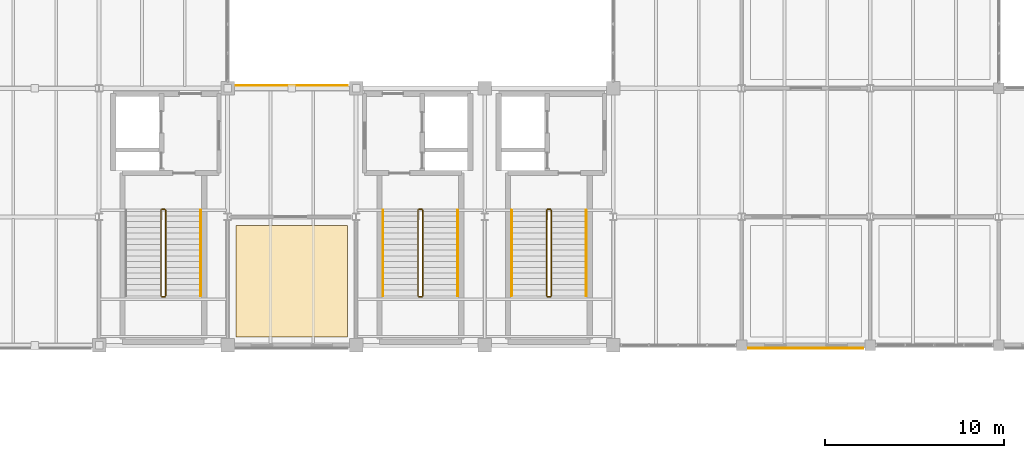
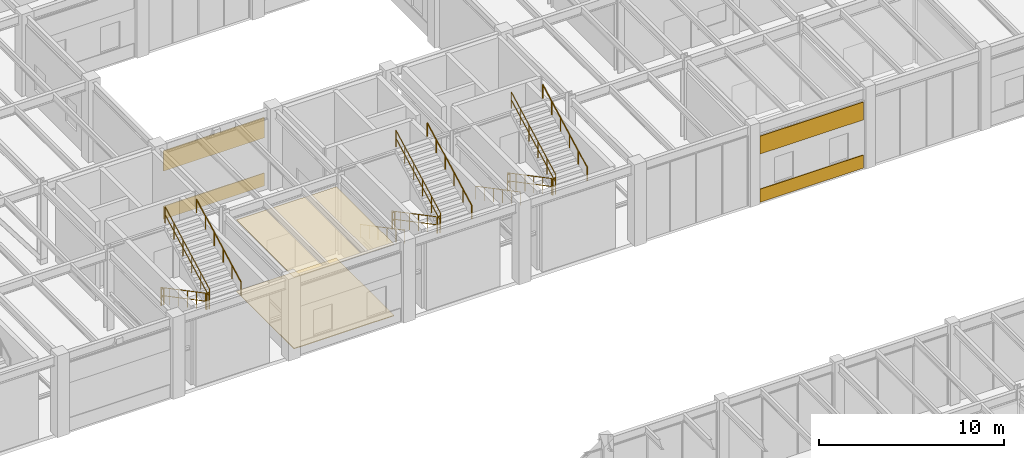
# One storey, part 95 of 97: 17 railings, 6 coverings.
"""IFC4 building model written with IfcOpenShell, lengths in metres."""

from ifc_helpers import new_model, si_unit, direction, frame, frame_2d, origin, origin_2d, place, context, subcontext, project, spatial, polyline, rectangle, circle, outline, extrude, material, layer, layer_set, type_object, element, save


model = new_model("IFC4")

# Units and contexts
model_context = context("Model", 3, precision=1e-05, world=origin(), true_north=direction((0.0, 1.0)))
body_context = subcontext(model_context, "Body", "Model", "MODEL_VIEW")
ifc_project = project(units=[si_unit("LENGTHUNIT", "METRE"), si_unit("AREAUNIT", "SQUARE_METRE"), si_unit("VOLUMEUNIT", "CUBIC_METRE"), si_unit("PLANEANGLEUNIT", "RADIAN"), si_unit("MASSUNIT", "GRAM", prefix="KILO")], contexts=[model_context])

# Site, building, storey
site_placement = place(None, origin())
site = spatial("IfcSite", under=ifc_project, at=site_placement, CompositionType="ELEMENT")
building_placement = place(site_placement, origin())
building = spatial("IfcBuilding", under=site, at=building_placement, Name="Sillqori Civic Hall", CompositionType="ELEMENT")
storey_placement = place(building_placement, origin())
storey = spatial("IfcBuildingStorey", under=building, at=storey_placement, Name="L01", CompositionType="ELEMENT", Elevation=0.0)

# Coverings
ifc_material_1 = material(Name="Acoustic Gypsum Board Assembly 34", Category="gypsum")
ifc_layer_1 = layer(ifc_material_1, 0.033935546875)
ifc_layer_set_1 = layer_set([ifc_layer_1], Name="Acoustic Gypsum Board Assembly 34")
covering_type_1 = type_object("IfcCoveringType", Name="COV-CEIL-G34", PredefinedType="CEILING", material=ifc_layer_set_1)
covering_1_placement = place(storey_placement, frame((0.0, 0.0, 4.716064453125)))
element("IfcCovering", 1, at=covering_1_placement, inside=storey, type_object=covering_type_1, Name="Social Services Citizen Advisory Suite L01-07 acoustic ceiling", PredefinedType="CEILING", context=body_context, shape_type="SweptSolid", body=[
    extrude(outline(polyline([(72.47998046875, 79.679931640625), (78.719970703125, 79.679931640625), (78.719970703125, 85.919921875), (72.47998046875, 85.919921875), (72.47998046875, 79.679931640625)])), origin(), (0.0, 0.0, 1.0), 0.033935546875),
])
ifc_material_2 = material(Name="Cochabamba Honed Limestone Cladding", Category="masonry")
ifc_layer_2 = layer(ifc_material_2, 0.044921875)
ifc_layer_set_2 = layer_set([ifc_layer_2], Name="Cochabamba Honed Limestone Cladding")
covering_type_2 = type_object("IfcCoveringType", Name="COV-CLAD-LIME", PredefinedType="CLADDING", material=ifc_layer_set_2)
covering_2_placement = place(storey_placement, frame((72.455078125, 93.760009765625, 0.0400390625), z_axis=(0.0, 0.0, 1.0), x_axis=(1.0, 0.0, 0.0)))
element("IfcCovering", 2, at=covering_2_placement, inside=storey, type_object=covering_type_2, Name="L01 limestone spandrel cladding L01-10-12-N", PredefinedType="CLADDING", context=body_context, shape_type="SweptSolid", body=[
    extrude(rectangle(XDim=6.2900390625, YDim=0.044921875, at=frame_2d((3.14501953125, 0.0))), origin(), (0.0, 0.0, 1.0), 0.85986328125),
])
covering_3_placement = place(storey_placement, frame((72.455078125, 93.760009765625, 3.219970703125), z_axis=(0.0, 0.0, 1.0), x_axis=(1.0, 0.0, 0.0)))
element("IfcCovering", 3, at=covering_3_placement, inside=storey, type_object=covering_type_2, Name="L01 limestone frieze cladding L01-10-12-N", PredefinedType="CLADDING", context=body_context, shape_type="SweptSolid", body=[
    extrude(rectangle(XDim=6.2900390625, YDim=0.044921875, at=frame_2d((3.14501953125, 0.0))), origin(), (0.0, 0.0, 1.0), 1.338134765625),
])
covering_4_placement = place(storey_placement, frame((107.6201171875, 79.0400390625, 0.0400390625), z_axis=(0.0, 0.0, 1.0), x_axis=(-1.0, 0.0, 0.0)))
element("IfcCovering", 4, at=covering_4_placement, inside=storey, type_object=covering_type_2, Name="L01 limestone spandrel cladding L01-14-11-S", PredefinedType="CLADDING", context=body_context, shape_type="SweptSolid", body=[
    extrude(rectangle(XDim=6.440185546875, YDim=0.044921875, at=frame_2d((3.22021484375, 0.0))), origin(), (0.0, 0.0, 1.0), 0.85986328125),
])
covering_5_placement = place(storey_placement, frame((107.6201171875, 79.0400390625, 3.219970703125), z_axis=(0.0, 0.0, 1.0), x_axis=(-1.0, 0.0, 0.0)))
element("IfcCovering", 5, at=covering_5_placement, inside=storey, type_object=covering_type_2, Name="L01 limestone frieze cladding L01-14-11-S", PredefinedType="CLADDING", context=body_context, shape_type="SweptSolid", body=[
    extrude(rectangle(XDim=6.440185546875, YDim=0.044921875, at=frame_2d((3.22021484375, 0.0))), origin(), (0.0, 0.0, 1.0), 1.177978515625),
])
ifc_material_3 = material(Name="Honed Comanche Sandstone Paving 44", Category="masonry")
ifc_layer_3 = layer(ifc_material_3, 0.0439453125)
ifc_layer_set_3 = layer_set([ifc_layer_3], Name="Honed Comanche Sandstone Paving 44")
covering_type_3 = type_object("IfcCoveringType", Name="COV-FLR-S44", PredefinedType="FLOORING", material=ifc_layer_set_3)
covering_6_placement = place(storey_placement, origin())
element("IfcCovering", 6, at=covering_6_placement, inside=storey, type_object=covering_type_3, Name="Social Services Citizen Advisory Suite L01-07 floor finish", PredefinedType="FLOORING", context=body_context, shape_type="SweptSolid", body=[
    extrude(outline(polyline([(72.47998046875, 79.679931640625), (78.719970703125, 79.679931640625), (78.719970703125, 85.919921875), (72.47998046875, 85.919921875), (72.47998046875, 79.679931640625)])), origin(), (0.0, 0.0, 1.0), 0.0439453125),
])

# Railings
ifc_material_4 = material(Name="Brushed Stainless Steel 316 Handrail", Category="steel")
ifc_layer_4 = layer(ifc_material_4, 0.044921875)
ifc_layer_set_4 = layer_set([ifc_layer_4], Name="Brushed Stainless Steel 316 Handrail")
railing_type_1 = type_object("IfcRailingType", Name="RLG-CORE-092", PredefinedType="HANDRAIL", material=ifc_layer_set_4)
railing_1_placement = place(storey_placement, frame((70.489990234375, 81.969970703125, 2.86865234375)))
element("IfcRailing", 7, at=railing_1_placement, inside=storey, type_object=railing_type_1, Name="L01 ST-06 stair handrail 2", PredefinedType="HANDRAIL", context=body_context, shape_type="SweptSolid", body=[
    extrude(circle(Radius=0.02392578125, at=origin_2d()), frame((0.0, 0.0, 0.8759765625), z_axis=(0.0, 0.8845451381, 0.466454605148), x_axis=(-1.0, 0.0, 0.0)), (0.0, 0.0, 1.0), 5.426513671875),
    extrude(circle(Radius=0.02099609375, at=origin_2d()), origin(), (0.0, 0.0, 1.0), 0.851806640625),
    extrude(circle(Radius=0.02099609375, at=origin_2d()), frame((0.0, 0.9599609375, 0.50634765625)), (0.0, 0.0, 1.0), 0.851806640625),
    extrude(circle(Radius=0.02099609375, at=origin_2d()), frame((0.0, 1.919921875, 1.012451171875)), (0.0, 0.0, 1.0), 0.851806640625),
    extrude(circle(Radius=0.02099609375, at=origin_2d()), frame((0.0, 2.880126953125, 1.518798828125)), (0.0, 0.0, 1.0), 0.851806640625),
    extrude(circle(Radius=0.02099609375, at=origin_2d()), frame((0.0, 3.840087890625, 2.02490234375)), (0.0, 0.0, 1.0), 0.851806640625),
    extrude(circle(Radius=0.02099609375, at=origin_2d()), frame((0.0, 4.800048828125, 2.53125)), (0.0, 0.0, 1.0), 0.851806640625),
])
railing_2_placement = place(storey_placement, frame((80.7099609375, 86.77001953125, 0.168701171875)))
element("IfcRailing", 8, at=railing_2_placement, inside=storey, type_object=railing_type_1, Name="L01 ST-07 stair handrail 1", PredefinedType="HANDRAIL", context=body_context, shape_type="SweptSolid", body=[
    extrude(circle(Radius=0.02392578125, at=origin_2d()), frame((0.0, 0.0, 0.8759765625), z_axis=(0.0, -0.8845451381, 0.466454605148), x_axis=(1.0, 0.0, 0.0)), (0.0, 0.0, 1.0), 5.426513671875),
    extrude(circle(Radius=0.02099609375, at=origin_2d()), origin(), (0.0, 0.0, 1.0), 0.851806640625),
    extrude(circle(Radius=0.02099609375, at=origin_2d()), frame((0.0, -0.9599609375, 0.50634765625)), (0.0, 0.0, 1.0), 0.851806640625),
    extrude(circle(Radius=0.02099609375, at=origin_2d()), frame((0.0, -1.919921875, 1.012451171875)), (0.0, 0.0, 1.0), 0.851806640625),
    extrude(circle(Radius=0.02099609375, at=origin_2d()), frame((0.0, -2.880126953125, 1.518798828125)), (0.0, 0.0, 1.0), 0.851806640625),
    extrude(circle(Radius=0.02099609375, at=origin_2d()), frame((0.0, -3.840087890625, 2.02490234375)), (0.0, 0.0, 1.0), 0.851806640625),
    extrude(circle(Radius=0.02099609375, at=origin_2d()), frame((0.0, -4.800048828125, 2.53125)), (0.0, 0.0, 1.0), 0.851806640625),
])
railing_3_placement = place(storey_placement, frame((84.889892578125, 81.969970703125, 2.86865234375)))
element("IfcRailing", 9, at=railing_3_placement, inside=storey, type_object=railing_type_1, Name="L01 ST-07 stair handrail 2", PredefinedType="HANDRAIL", context=body_context, shape_type="SweptSolid", body=[
    extrude(circle(Radius=0.02392578125, at=origin_2d()), frame((0.0, 0.0, 0.8759765625), z_axis=(0.0, 0.8845451381, 0.466454605148), x_axis=(-1.0, 0.0, 0.0)), (0.0, 0.0, 1.0), 5.426513671875),
    extrude(circle(Radius=0.02099609375, at=origin_2d()), origin(), (0.0, 0.0, 1.0), 0.851806640625),
    extrude(circle(Radius=0.02099609375, at=origin_2d()), frame((0.0, 0.9599609375, 0.50634765625)), (0.0, 0.0, 1.0), 0.851806640625),
    extrude(circle(Radius=0.02099609375, at=origin_2d()), frame((0.0, 1.919921875, 1.012451171875)), (0.0, 0.0, 1.0), 0.851806640625),
    extrude(circle(Radius=0.02099609375, at=origin_2d()), frame((0.0, 2.880126953125, 1.518798828125)), (0.0, 0.0, 1.0), 0.851806640625),
    extrude(circle(Radius=0.02099609375, at=origin_2d()), frame((0.0, 3.840087890625, 2.02490234375)), (0.0, 0.0, 1.0), 0.851806640625),
    extrude(circle(Radius=0.02099609375, at=origin_2d()), frame((0.0, 4.800048828125, 2.53125)), (0.0, 0.0, 1.0), 0.851806640625),
])
railing_4_placement = place(storey_placement, frame((87.909912109375, 86.77001953125, 0.168701171875)))
element("IfcRailing", 10, at=railing_4_placement, inside=storey, type_object=railing_type_1, Name="L01 ST-08 stair handrail 1", PredefinedType="HANDRAIL", context=body_context, shape_type="SweptSolid", body=[
    extrude(circle(Radius=0.02392578125, at=origin_2d()), frame((0.0, 0.0, 0.8759765625), z_axis=(0.0, -0.8845451381, 0.466454605148), x_axis=(1.0, 0.0, 0.0)), (0.0, 0.0, 1.0), 5.426513671875),
    extrude(circle(Radius=0.02099609375, at=origin_2d()), origin(), (0.0, 0.0, 1.0), 0.851806640625),
    extrude(circle(Radius=0.02099609375, at=origin_2d()), frame((0.0, -0.9599609375, 0.50634765625)), (0.0, 0.0, 1.0), 0.851806640625),
    extrude(circle(Radius=0.02099609375, at=origin_2d()), frame((0.0, -1.919921875, 1.012451171875)), (0.0, 0.0, 1.0), 0.851806640625),
    extrude(circle(Radius=0.02099609375, at=origin_2d()), frame((0.0, -2.880126953125, 1.518798828125)), (0.0, 0.0, 1.0), 0.851806640625),
    extrude(circle(Radius=0.02099609375, at=origin_2d()), frame((0.0, -3.840087890625, 2.02490234375)), (0.0, 0.0, 1.0), 0.851806640625),
    extrude(circle(Radius=0.02099609375, at=origin_2d()), frame((0.0, -4.800048828125, 2.53125)), (0.0, 0.0, 1.0), 0.851806640625),
])
railing_5_placement = place(storey_placement, frame((92.090087890625, 81.969970703125, 2.86865234375)))
element("IfcRailing", 11, at=railing_5_placement, inside=storey, type_object=railing_type_1, Name="L01 ST-08 stair handrail 2", PredefinedType="HANDRAIL", context=body_context, shape_type="SweptSolid", body=[
    extrude(circle(Radius=0.02392578125, at=origin_2d()), frame((0.0, 0.0, 0.8759765625), z_axis=(0.0, 0.8845451381, 0.466454605148), x_axis=(-1.0, 0.0, 0.0)), (0.0, 0.0, 1.0), 5.426513671875),
    extrude(circle(Radius=0.02099609375, at=origin_2d()), origin(), (0.0, 0.0, 1.0), 0.851806640625),
    extrude(circle(Radius=0.02099609375, at=origin_2d()), frame((0.0, 0.9599609375, 0.50634765625)), (0.0, 0.0, 1.0), 0.851806640625),
    extrude(circle(Radius=0.02099609375, at=origin_2d()), frame((0.0, 1.919921875, 1.012451171875)), (0.0, 0.0, 1.0), 0.851806640625),
    extrude(circle(Radius=0.02099609375, at=origin_2d()), frame((0.0, 2.880126953125, 1.518798828125)), (0.0, 0.0, 1.0), 0.851806640625),
    extrude(circle(Radius=0.02099609375, at=origin_2d()), frame((0.0, 3.840087890625, 2.02490234375)), (0.0, 0.0, 1.0), 0.851806640625),
    extrude(circle(Radius=0.02099609375, at=origin_2d()), frame((0.0, 4.800048828125, 2.53125)), (0.0, 0.0, 1.0), 0.851806640625),
])
ifc_material_5 = material(Name="Galvanized Painted Steel Guardrail", Category="steel")
ifc_layer_5 = layer(ifc_material_5, 0.050048828125)
ifc_layer_set_5 = layer_set([ifc_layer_5], Name="Galvanized Painted Steel Guardrail")
railing_type_2 = type_object("IfcRailingType", Name="RLG-CORE-110", PredefinedType="GUARDRAIL", material=ifc_layer_set_5)
railing_6_placement = place(storey_placement, frame((68.27001953125, 86.77001953125, 0.168701171875)))
element("IfcRailing", 12, at=railing_6_placement, inside=storey, type_object=railing_type_2, Name="L01 ST-06 stair guard 1", PredefinedType="GUARDRAIL", context=body_context, shape_type="SweptSolid", body=[
    extrude(circle(Radius=0.02392578125, at=origin_2d()), frame((0.0, 0.0, 1.076171875), z_axis=(0.0, -0.8845451381, 0.466454605148), x_axis=(1.0, 0.0, 0.0)), (0.0, 0.0, 1.0), 5.426513671875),
    extrude(circle(Radius=0.02392578125, at=origin_2d()), frame((0.0, 0.0, 0.550048828125), z_axis=(0.0, -0.8845451381, 0.466454605148), x_axis=(1.0, 0.0, 0.0)), (0.0, 0.0, 1.0), 5.426513671875),
    extrude(circle(Radius=0.02099609375, at=origin_2d()), origin(), (0.0, 0.0, 1.0), 1.052001953125),
    extrude(circle(Radius=0.02099609375, at=origin_2d()), frame((0.0, -0.9599609375, 0.50634765625)), (0.0, 0.0, 1.0), 1.052001953125),
    extrude(circle(Radius=0.02099609375, at=origin_2d()), frame((0.0, -1.919921875, 1.012451171875)), (0.0, 0.0, 1.0), 1.052001953125),
    extrude(circle(Radius=0.02099609375, at=origin_2d()), frame((0.0, -2.880126953125, 1.518798828125)), (0.0, 0.0, 1.0), 1.052001953125),
    extrude(circle(Radius=0.02099609375, at=origin_2d()), frame((0.0, -3.840087890625, 2.02490234375)), (0.0, 0.0, 1.0), 1.052001953125),
    extrude(circle(Radius=0.02099609375, at=origin_2d()), frame((0.0, -4.800048828125, 2.53125)), (0.0, 0.0, 1.0), 1.052001953125),
])
railing_7_placement = place(storey_placement, frame((68.320068359375, 81.919921875, 2.699951171875)))
element("IfcRailing", 13, at=railing_7_placement, inside=storey, type_object=railing_type_2, Name="L01 ST-06 stair guard 2", PredefinedType="GUARDRAIL", context=body_context, shape_type="SweptSolid", body=[
    extrude(circle(Radius=0.02392578125, at=origin_2d()), frame((0.0, 0.0, 1.076171875), z_axis=(1.0, 0.0, 0.0), x_axis=(0.0, 1.0, 0.0)), (0.0, 0.0, 1.0), 0.159912109375),
    extrude(circle(Radius=0.02392578125, at=origin_2d()), frame((0.0, 0.0, 0.550048828125), z_axis=(1.0, 0.0, 0.0), x_axis=(0.0, 1.0, 0.0)), (0.0, 0.0, 1.0), 0.159912109375),
    extrude(circle(Radius=0.02099609375, at=origin_2d()), origin(), (0.0, 0.0, 1.0), 1.052001953125),
    extrude(circle(Radius=0.02099609375, at=origin_2d()), frame((0.159912109375, 0.0, 0.0)), (0.0, 0.0, 1.0), 1.052001953125),
])
railing_8_placement = place(storey_placement, frame((68.530029296875, 81.969970703125, 2.86865234375)))
element("IfcRailing", 14, at=railing_8_placement, inside=storey, type_object=railing_type_2, Name="L01 ST-06 stair guard 3", PredefinedType="GUARDRAIL", context=body_context, shape_type="SweptSolid", body=[
    extrude(circle(Radius=0.02392578125, at=origin_2d()), frame((0.0, 0.0, 1.076171875), z_axis=(0.0, 0.8845451381, 0.466454605148), x_axis=(-1.0, 0.0, 0.0)), (0.0, 0.0, 1.0), 5.426513671875),
    extrude(circle(Radius=0.02392578125, at=origin_2d()), frame((0.0, 0.0, 0.550048828125), z_axis=(0.0, 0.8845451381, 0.466454605148), x_axis=(-1.0, 0.0, 0.0)), (0.0, 0.0, 1.0), 5.426513671875),
    extrude(circle(Radius=0.02099609375, at=origin_2d()), origin(), (0.0, 0.0, 1.0), 1.052001953125),
    extrude(circle(Radius=0.02099609375, at=origin_2d()), frame((0.0, 0.9599609375, 0.50634765625)), (0.0, 0.0, 1.0), 1.052001953125),
    extrude(circle(Radius=0.02099609375, at=origin_2d()), frame((0.0, 1.919921875, 1.012451171875)), (0.0, 0.0, 1.0), 1.052001953125),
    extrude(circle(Radius=0.02099609375, at=origin_2d()), frame((0.0, 2.880126953125, 1.518798828125)), (0.0, 0.0, 1.0), 1.052001953125),
    extrude(circle(Radius=0.02099609375, at=origin_2d()), frame((0.0, 3.840087890625, 2.02490234375)), (0.0, 0.0, 1.0), 1.052001953125),
    extrude(circle(Radius=0.02099609375, at=origin_2d()), frame((0.0, 4.800048828125, 2.53125)), (0.0, 0.0, 1.0), 1.052001953125),
])
railing_9_placement = place(storey_placement, frame((68.320068359375, 86.820068359375, 0.0)))
element("IfcRailing", 15, at=railing_9_placement, inside=storey, type_object=railing_type_2, Name="L01 ST-06 stair guard 4", PredefinedType="GUARDRAIL", context=body_context, shape_type="SweptSolid", body=[
    extrude(circle(Radius=0.02392578125, at=origin_2d()), frame((0.0, 0.0, 1.076171875), z_axis=(1.0, 0.0, 0.0), x_axis=(0.0, 1.0, 0.0)), (0.0, 0.0, 1.0), 0.159912109375),
    extrude(circle(Radius=0.02392578125, at=origin_2d()), frame((0.0, 0.0, 0.550048828125), z_axis=(1.0, 0.0, 0.0), x_axis=(0.0, 1.0, 0.0)), (0.0, 0.0, 1.0), 0.159912109375),
    extrude(circle(Radius=0.02099609375, at=origin_2d()), origin(), (0.0, 0.0, 1.0), 1.052001953125),
    extrude(circle(Radius=0.02099609375, at=origin_2d()), frame((0.159912109375, 0.0, 0.0)), (0.0, 0.0, 1.0), 1.052001953125),
])
railing_10_placement = place(storey_placement, frame((82.669921875, 86.77001953125, 0.168701171875)))
element("IfcRailing", 16, at=railing_10_placement, inside=storey, type_object=railing_type_2, Name="L01 ST-07 stair guard 1", PredefinedType="GUARDRAIL", context=body_context, shape_type="SweptSolid", body=[
    extrude(circle(Radius=0.02392578125, at=origin_2d()), frame((0.0, 0.0, 1.076171875), z_axis=(0.0, -0.8845451381, 0.466454605148), x_axis=(1.0, 0.0, 0.0)), (0.0, 0.0, 1.0), 5.426513671875),
    extrude(circle(Radius=0.02392578125, at=origin_2d()), frame((0.0, 0.0, 0.550048828125), z_axis=(0.0, -0.8845451381, 0.466454605148), x_axis=(1.0, 0.0, 0.0)), (0.0, 0.0, 1.0), 5.426513671875),
    extrude(circle(Radius=0.02099609375, at=origin_2d()), origin(), (0.0, 0.0, 1.0), 1.052001953125),
    extrude(circle(Radius=0.02099609375, at=origin_2d()), frame((0.0, -0.9599609375, 0.50634765625)), (0.0, 0.0, 1.0), 1.052001953125),
    extrude(circle(Radius=0.02099609375, at=origin_2d()), frame((0.0, -1.919921875, 1.012451171875)), (0.0, 0.0, 1.0), 1.052001953125),
    extrude(circle(Radius=0.02099609375, at=origin_2d()), frame((0.0, -2.880126953125, 1.518798828125)), (0.0, 0.0, 1.0), 1.052001953125),
    extrude(circle(Radius=0.02099609375, at=origin_2d()), frame((0.0, -3.840087890625, 2.02490234375)), (0.0, 0.0, 1.0), 1.052001953125),
    extrude(circle(Radius=0.02099609375, at=origin_2d()), frame((0.0, -4.800048828125, 2.53125)), (0.0, 0.0, 1.0), 1.052001953125),
])
railing_11_placement = place(storey_placement, frame((82.719970703125, 81.919921875, 2.699951171875)))
element("IfcRailing", 17, at=railing_11_placement, inside=storey, type_object=railing_type_2, Name="L01 ST-07 stair guard 2", PredefinedType="GUARDRAIL", context=body_context, shape_type="SweptSolid", body=[
    extrude(circle(Radius=0.02392578125, at=origin_2d()), frame((0.0, 0.0, 1.076171875), z_axis=(1.0, 0.0, 0.0), x_axis=(0.0, 1.0, 0.0)), (0.0, 0.0, 1.0), 0.159912109375),
    extrude(circle(Radius=0.02392578125, at=origin_2d()), frame((0.0, 0.0, 0.550048828125), z_axis=(1.0, 0.0, 0.0), x_axis=(0.0, 1.0, 0.0)), (0.0, 0.0, 1.0), 0.159912109375),
    extrude(circle(Radius=0.02099609375, at=origin_2d()), origin(), (0.0, 0.0, 1.0), 1.052001953125),
    extrude(circle(Radius=0.02099609375, at=origin_2d()), frame((0.159912109375, 0.0, 0.0)), (0.0, 0.0, 1.0), 1.052001953125),
])
railing_12_placement = place(storey_placement, frame((82.929931640625, 81.969970703125, 2.86865234375)))
element("IfcRailing", 18, at=railing_12_placement, inside=storey, type_object=railing_type_2, Name="L01 ST-07 stair guard 3", PredefinedType="GUARDRAIL", context=body_context, shape_type="SweptSolid", body=[
    extrude(circle(Radius=0.02392578125, at=origin_2d()), frame((0.0, 0.0, 1.076171875), z_axis=(0.0, 0.8845451381, 0.466454605148), x_axis=(-1.0, 0.0, 0.0)), (0.0, 0.0, 1.0), 5.426513671875),
    extrude(circle(Radius=0.02392578125, at=origin_2d()), frame((0.0, 0.0, 0.550048828125), z_axis=(0.0, 0.8845451381, 0.466454605148), x_axis=(-1.0, 0.0, 0.0)), (0.0, 0.0, 1.0), 5.426513671875),
    extrude(circle(Radius=0.02099609375, at=origin_2d()), origin(), (0.0, 0.0, 1.0), 1.052001953125),
    extrude(circle(Radius=0.02099609375, at=origin_2d()), frame((0.0, 0.9599609375, 0.50634765625)), (0.0, 0.0, 1.0), 1.052001953125),
    extrude(circle(Radius=0.02099609375, at=origin_2d()), frame((0.0, 1.919921875, 1.012451171875)), (0.0, 0.0, 1.0), 1.052001953125),
    extrude(circle(Radius=0.02099609375, at=origin_2d()), frame((0.0, 2.880126953125, 1.518798828125)), (0.0, 0.0, 1.0), 1.052001953125),
    extrude(circle(Radius=0.02099609375, at=origin_2d()), frame((0.0, 3.840087890625, 2.02490234375)), (0.0, 0.0, 1.0), 1.052001953125),
    extrude(circle(Radius=0.02099609375, at=origin_2d()), frame((0.0, 4.800048828125, 2.53125)), (0.0, 0.0, 1.0), 1.052001953125),
])
railing_13_placement = place(storey_placement, frame((82.719970703125, 86.820068359375, 0.0)))
element("IfcRailing", 19, at=railing_13_placement, inside=storey, type_object=railing_type_2, Name="L01 ST-07 stair guard 4", PredefinedType="GUARDRAIL", context=body_context, shape_type="SweptSolid", body=[
    extrude(circle(Radius=0.02392578125, at=origin_2d()), frame((0.0, 0.0, 1.076171875), z_axis=(1.0, 0.0, 0.0), x_axis=(0.0, 1.0, 0.0)), (0.0, 0.0, 1.0), 0.159912109375),
    extrude(circle(Radius=0.02392578125, at=origin_2d()), frame((0.0, 0.0, 0.550048828125), z_axis=(1.0, 0.0, 0.0), x_axis=(0.0, 1.0, 0.0)), (0.0, 0.0, 1.0), 0.159912109375),
    extrude(circle(Radius=0.02099609375, at=origin_2d()), origin(), (0.0, 0.0, 1.0), 1.052001953125),
    extrude(circle(Radius=0.02099609375, at=origin_2d()), frame((0.159912109375, 0.0, 0.0)), (0.0, 0.0, 1.0), 1.052001953125),
])
railing_14_placement = place(storey_placement, frame((89.8701171875, 86.77001953125, 0.168701171875)))
element("IfcRailing", 20, at=railing_14_placement, inside=storey, type_object=railing_type_2, Name="L01 ST-08 stair guard 1", PredefinedType="GUARDRAIL", context=body_context, shape_type="SweptSolid", body=[
    extrude(circle(Radius=0.02392578125, at=origin_2d()), frame((0.0, 0.0, 1.076171875), z_axis=(0.0, -0.8845451381, 0.466454605148), x_axis=(1.0, 0.0, 0.0)), (0.0, 0.0, 1.0), 5.426513671875),
    extrude(circle(Radius=0.02392578125, at=origin_2d()), frame((0.0, 0.0, 0.550048828125), z_axis=(0.0, -0.8845451381, 0.466454605148), x_axis=(1.0, 0.0, 0.0)), (0.0, 0.0, 1.0), 5.426513671875),
    extrude(circle(Radius=0.02099609375, at=origin_2d()), origin(), (0.0, 0.0, 1.0), 1.052001953125),
    extrude(circle(Radius=0.02099609375, at=origin_2d()), frame((0.0, -0.9599609375, 0.50634765625)), (0.0, 0.0, 1.0), 1.052001953125),
    extrude(circle(Radius=0.02099609375, at=origin_2d()), frame((0.0, -1.919921875, 1.012451171875)), (0.0, 0.0, 1.0), 1.052001953125),
    extrude(circle(Radius=0.02099609375, at=origin_2d()), frame((0.0, -2.880126953125, 1.518798828125)), (0.0, 0.0, 1.0), 1.052001953125),
    extrude(circle(Radius=0.02099609375, at=origin_2d()), frame((0.0, -3.840087890625, 2.02490234375)), (0.0, 0.0, 1.0), 1.052001953125),
    extrude(circle(Radius=0.02099609375, at=origin_2d()), frame((0.0, -4.800048828125, 2.53125)), (0.0, 0.0, 1.0), 1.052001953125),
])
railing_15_placement = place(storey_placement, frame((89.919921875, 81.919921875, 2.699951171875)))
element("IfcRailing", 21, at=railing_15_placement, inside=storey, type_object=railing_type_2, Name="L01 ST-08 stair guard 2", PredefinedType="GUARDRAIL", context=body_context, shape_type="SweptSolid", body=[
    extrude(circle(Radius=0.02392578125, at=origin_2d()), frame((0.0, 0.0, 1.076171875), z_axis=(1.0, 0.0, 0.0), x_axis=(0.0, 1.0, 0.0)), (0.0, 0.0, 1.0), 0.16015625),
    extrude(circle(Radius=0.02392578125, at=origin_2d()), frame((0.0, 0.0, 0.550048828125), z_axis=(1.0, 0.0, 0.0), x_axis=(0.0, 1.0, 0.0)), (0.0, 0.0, 1.0), 0.16015625),
    extrude(circle(Radius=0.02099609375, at=origin_2d()), origin(), (0.0, 0.0, 1.0), 1.052001953125),
    extrude(circle(Radius=0.02099609375, at=origin_2d()), frame((0.16015625, 0.0, 0.0)), (0.0, 0.0, 1.0), 1.052001953125),
])
railing_16_placement = place(storey_placement, frame((90.1298828125, 81.969970703125, 2.86865234375)))
element("IfcRailing", 22, at=railing_16_placement, inside=storey, type_object=railing_type_2, Name="L01 ST-08 stair guard 3", PredefinedType="GUARDRAIL", context=body_context, shape_type="SweptSolid", body=[
    extrude(circle(Radius=0.02392578125, at=origin_2d()), frame((0.0, 0.0, 1.076171875), z_axis=(0.0, 0.8845451381, 0.466454605148), x_axis=(-1.0, 0.0, 0.0)), (0.0, 0.0, 1.0), 5.426513671875),
    extrude(circle(Radius=0.02392578125, at=origin_2d()), frame((0.0, 0.0, 0.550048828125), z_axis=(0.0, 0.8845451381, 0.466454605148), x_axis=(-1.0, 0.0, 0.0)), (0.0, 0.0, 1.0), 5.426513671875),
    extrude(circle(Radius=0.02099609375, at=origin_2d()), origin(), (0.0, 0.0, 1.0), 1.052001953125),
    extrude(circle(Radius=0.02099609375, at=origin_2d()), frame((0.0, 0.9599609375, 0.50634765625)), (0.0, 0.0, 1.0), 1.052001953125),
    extrude(circle(Radius=0.02099609375, at=origin_2d()), frame((0.0, 1.919921875, 1.012451171875)), (0.0, 0.0, 1.0), 1.052001953125),
    extrude(circle(Radius=0.02099609375, at=origin_2d()), frame((0.0, 2.880126953125, 1.518798828125)), (0.0, 0.0, 1.0), 1.052001953125),
    extrude(circle(Radius=0.02099609375, at=origin_2d()), frame((0.0, 3.840087890625, 2.02490234375)), (0.0, 0.0, 1.0), 1.052001953125),
    extrude(circle(Radius=0.02099609375, at=origin_2d()), frame((0.0, 4.800048828125, 2.53125)), (0.0, 0.0, 1.0), 1.052001953125),
])
railing_17_placement = place(storey_placement, frame((89.919921875, 86.820068359375, 0.0)))
element("IfcRailing", 23, at=railing_17_placement, inside=storey, type_object=railing_type_2, Name="L01 ST-08 stair guard 4", PredefinedType="GUARDRAIL", context=body_context, shape_type="SweptSolid", body=[
    extrude(circle(Radius=0.02392578125, at=origin_2d()), frame((0.0, 0.0, 1.076171875), z_axis=(1.0, 0.0, 0.0), x_axis=(0.0, 1.0, 0.0)), (0.0, 0.0, 1.0), 0.16015625),
    extrude(circle(Radius=0.02392578125, at=origin_2d()), frame((0.0, 0.0, 0.550048828125), z_axis=(1.0, 0.0, 0.0), x_axis=(0.0, 1.0, 0.0)), (0.0, 0.0, 1.0), 0.16015625),
    extrude(circle(Radius=0.02099609375, at=origin_2d()), origin(), (0.0, 0.0, 1.0), 1.052001953125),
    extrude(circle(Radius=0.02099609375, at=origin_2d()), frame((0.16015625, 0.0, 0.0)), (0.0, 0.0, 1.0), 1.052001953125),
])

save(model, "model.ifc")
